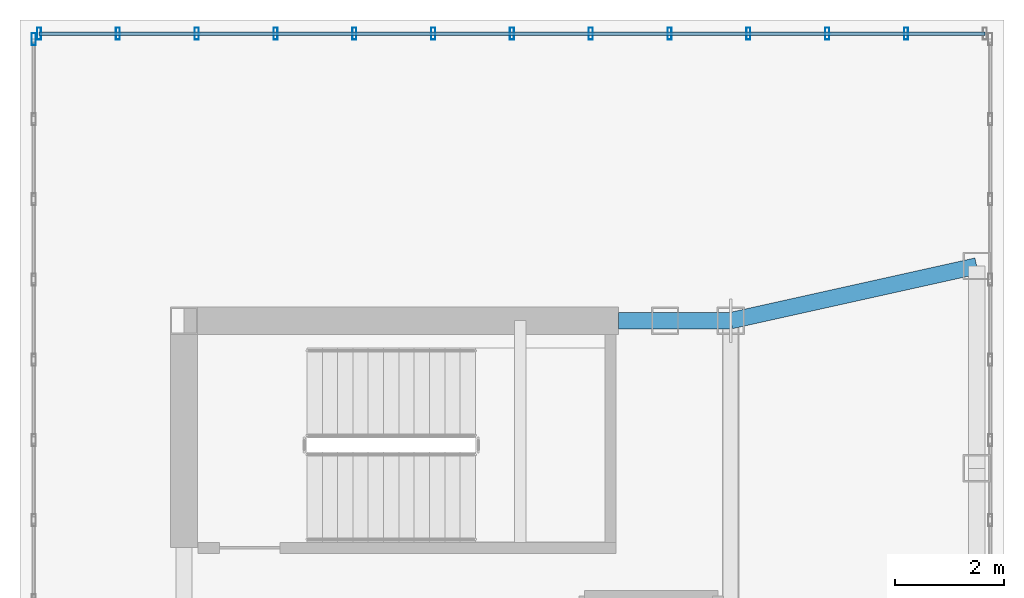
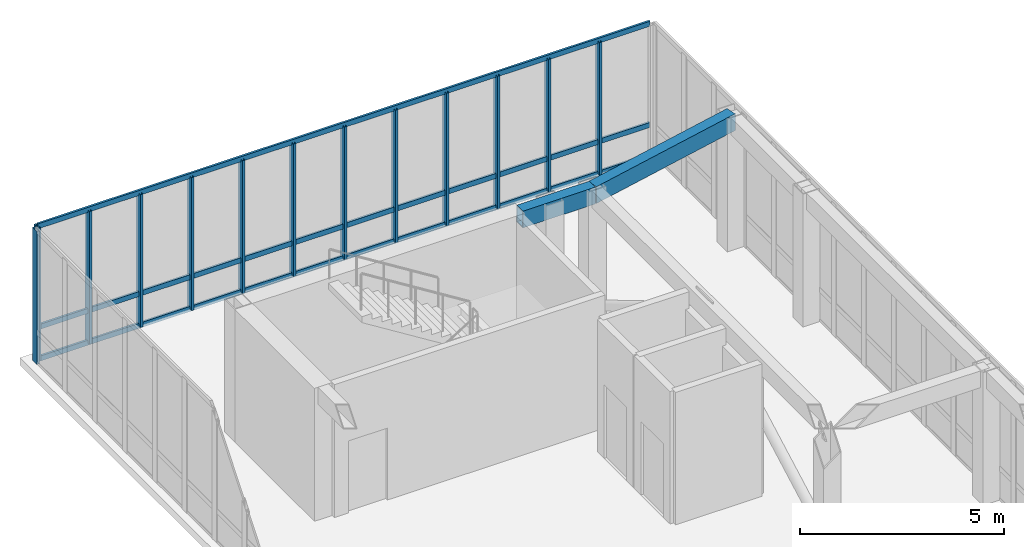
# One storey, part 9 of 13: 16 members, 2 beams, 2 elements without a shape of their own.
"""IFC4 building model written with IfcOpenShell, lengths in metres."""

from ifc_helpers import new_model, si_unit, direction, frame, origin, origin_2d, place, context, subcontext, project, spatial, hollow_rectangle, extrude, source, transform, mapped, material, layer, layer_set, material_profile, profile_set, type_object, element, aggregate, save


model = new_model("IFC4")

# Units and contexts
model_context = context("Model", 3, precision=1e-05, world=origin(), true_north=direction((0.0, 1.0)))
body_context = subcontext(model_context, "Body", "Model", "MODEL_VIEW")
ifc_project = project(units=[si_unit("LENGTHUNIT", "METRE"), si_unit("AREAUNIT", "SQUARE_METRE"), si_unit("VOLUMEUNIT", "CUBIC_METRE"), si_unit("PLANEANGLEUNIT", "RADIAN"), si_unit("MASSUNIT", "GRAM", prefix="KILO")], contexts=[model_context])

# Site, building, storey
site_placement = place(None, origin())
site = spatial("IfcSite", under=ifc_project, at=site_placement, CompositionType="ELEMENT")
building_placement = place(site_placement, origin())
building = spatial("IfcBuilding", under=site, at=building_placement, Name="Kharzan Plaza Tower", CompositionType="ELEMENT")
storey_placement = place(building_placement, frame((0.0, 0.0, 285.60009765625)))
storey = spatial("IfcBuildingStorey", under=building, at=storey_placement, Name="L77-CROWN", CompositionType="ELEMENT", Elevation=285.60009765625)

# Beams
ifc_material_1 = material(Name="Steel S355", Category="steel")
ifc_material_profile_1 = material_profile(ifc_material_1, hollow_rectangle(XDim=0.300048828125, YDim=0.5, WallThickness=0.02001953125, at=origin_2d()), Name="RHS500x300x20")
ifc_profile_set_1 = profile_set([ifc_material_profile_1], Name="Steel S355")
beam_type = type_object("IfcBeamType", Name="BM-CRN500", PredefinedType="BEAM", material=ifc_profile_set_1)
shared_shape_1 = source(origin(), body_context, "Body", "SweptSolid", [
    extrude(hollow_rectangle(XDim=0.300048828125, YDim=0.5, WallThickness=0.02001953125, at=origin_2d()), origin(), (0.0, 0.0, 1.0), 2.050048828125),
])
beam_1_placement = place(storey_placement, frame((12.449951171875, 29.5, 3.719970703125), z_axis=(1.0, 0.0, 0.0), x_axis=(0.0, 1.0, 0.0)))
element("IfcBeam", 1, at=beam_1_placement, inside=storey, type_object=beam_type, Name="L77-CROWN CROWN FRAME Lantern Ring Beam CRB-N2", PredefinedType="BEAM", context=body_context, shape_type="MappedRepresentation", body=[
    mapped(shared_shape_1, transform((0.0, 0.0, 0.0), x_axis=(1.0, 0.0, 0.0), y_axis=(0.0, 1.0, 0.0), z_axis=(0.0, 0.0, 1.0))),
])
shared_shape_2 = source(origin(), body_context, "Body", "SweptSolid", [
    extrude(hollow_rectangle(XDim=0.300048828125, YDim=0.5, WallThickness=0.02001953125, at=origin_2d()), origin(), (0.0, 0.0, 1.0), 4.60986328125),
])
beam_2_placement = place(storey_placement, frame((14.5, 29.5, 3.719970703125), z_axis=(0.976187060184, 0.216930457819, 0.0), x_axis=(-0.216930457819, 0.976187060184, 0.0)))
element("IfcBeam", 2, at=beam_2_placement, inside=storey, type_object=beam_type, Name="L77-CROWN CROWN FRAME Lantern Ring Beam CRB-N3", PredefinedType="BEAM", context=body_context, shape_type="MappedRepresentation", body=[
    mapped(shared_shape_2, transform((0.0, 0.0, 0.0), x_axis=(1.0, 0.0, 0.0), y_axis=(0.0, 1.0, 0.0), z_axis=(0.0, 0.0, 1.0))),
])

# Curtain wall, members
ifc_material_2 = material(Name="Unitised Bronze-Anodized Aluminium and Low-E Glass", Category="aluminium")
ifc_layer = layer(ifc_material_2, 0.199951171875)
ifc_layer_set = layer_set([ifc_layer], Name="Unitised Bronze-Anodized Aluminium and Low-E Glass")
curtain_wall_type = type_object("IfcCurtainWallType", Name="CW-LANTERN-6", PredefinedType="NOTDEFINED", material=ifc_layer_set)
curtain_wall_1_placement = place(storey_placement, origin())
curtain_wall_1 = element("IfcCurtainWall", 3, at=curtain_wall_1_placement, inside=storey, type_object=curtain_wall_type, Name="L77-CROWN Lantern Crown Illuminated Curtain Wall 3", PredefinedType="NOTDEFINED")
ifc_material_3 = material(Name="Anodized Bronze Aluminium", Category="aluminium")
ifc_material_profile_2 = material_profile(ifc_material_3, hollow_rectangle(XDim=0.074951171875, YDim=0.219970703125, WallThickness=0.00390625, at=origin_2d()), Name="ALU-M220x75x4")
ifc_profile_set_2 = profile_set([ifc_material_profile_2], Name="Anodized Bronze Aluminium")
member_type_1 = type_object("IfcMemberType", Name="MEM-CW-MUL200", PredefinedType="MULLION", material=ifc_profile_set_2)
shared_shape_3 = source(origin(), body_context, "Body", "SweptSolid", [
    extrude(hollow_rectangle(XDim=0.074951171875, YDim=0.219970703125, WallThickness=0.00390625, at=origin_2d()), origin(), (0.0, 0.0, 1.0), 3.969970703125),
])
member_1_placement = place(storey_placement, frame((17.708251953125, 34.75, 0.0), z_axis=(0.0, 0.0, 1.0), x_axis=(1.0, 0.0, 0.0)))
member_1 = element("IfcMember", 4, at=member_1_placement, type_object=member_type_1, Name="L77-CROWN Curtain-Wall Mullion 01", PredefinedType="MULLION", context=body_context, shape_type="MappedRepresentation", body=[
    mapped(shared_shape_3, transform((0.0, 0.0, 0.0), x_axis=(1.0, 0.0, 0.0), y_axis=(0.0, 1.0, 0.0), z_axis=(0.0, 0.0, 1.0))),
])
member_2_placement = place(storey_placement, frame((16.2666015625, 34.75, 0.0), z_axis=(0.0, 0.0, 1.0), x_axis=(1.0, 0.0, 0.0)))
member_2 = element("IfcMember", 5, at=member_2_placement, type_object=member_type_1, Name="L77-CROWN Curtain-Wall Mullion 02", PredefinedType="MULLION", context=body_context, shape_type="MappedRepresentation", body=[
    mapped(shared_shape_3, transform((0.0, 0.0, 0.0), x_axis=(1.0, 0.0, 0.0), y_axis=(0.0, 1.0, 0.0), z_axis=(0.0, 0.0, 1.0))),
])
member_3_placement = place(storey_placement, frame((14.824951171875, 34.75, 0.0), z_axis=(0.0, 0.0, 1.0), x_axis=(1.0, 0.0, 0.0)))
member_3 = element("IfcMember", 6, at=member_3_placement, type_object=member_type_1, Name="L77-CROWN Curtain-Wall Mullion 03", PredefinedType="MULLION", context=body_context, shape_type="MappedRepresentation", body=[
    mapped(shared_shape_3, transform((0.0, 0.0, 0.0), x_axis=(1.0, 0.0, 0.0), y_axis=(0.0, 1.0, 0.0), z_axis=(0.0, 0.0, 1.0))),
])
member_4_placement = place(storey_placement, frame((13.38330078125, 34.75, 0.0), z_axis=(0.0, 0.0, 1.0), x_axis=(1.0, 0.0, 0.0)))
member_4 = element("IfcMember", 7, at=member_4_placement, type_object=member_type_1, Name="L77-CROWN Curtain-Wall Mullion 04", PredefinedType="MULLION", context=body_context, shape_type="MappedRepresentation", body=[
    mapped(shared_shape_3, transform((0.0, 0.0, 0.0), x_axis=(1.0, 0.0, 0.0), y_axis=(0.0, 1.0, 0.0), z_axis=(0.0, 0.0, 1.0))),
])
member_5_placement = place(storey_placement, frame((11.941650390625, 34.75, 0.0), z_axis=(0.0, 0.0, 1.0), x_axis=(1.0, 0.0, 0.0)))
member_5 = element("IfcMember", 8, at=member_5_placement, type_object=member_type_1, Name="L77-CROWN Curtain-Wall Mullion 05", PredefinedType="MULLION", context=body_context, shape_type="MappedRepresentation", body=[
    mapped(shared_shape_3, transform((0.0, 0.0, 0.0), x_axis=(1.0, 0.0, 0.0), y_axis=(0.0, 1.0, 0.0), z_axis=(0.0, 0.0, 1.0))),
])
member_6_placement = place(storey_placement, frame((10.5, 34.75, 0.0), z_axis=(0.0, 0.0, 1.0), x_axis=(1.0, 0.0, 0.0)))
member_6 = element("IfcMember", 9, at=member_6_placement, type_object=member_type_1, Name="L77-CROWN Curtain-Wall Mullion 06", PredefinedType="MULLION", context=body_context, shape_type="MappedRepresentation", body=[
    mapped(shared_shape_3, transform((0.0, 0.0, 0.0), x_axis=(1.0, 0.0, 0.0), y_axis=(0.0, 1.0, 0.0), z_axis=(0.0, 0.0, 1.0))),
])
member_7_placement = place(storey_placement, frame((9.058349609375, 34.75, 0.0), z_axis=(0.0, 0.0, 1.0), x_axis=(1.0, 0.0, 0.0)))
member_7 = element("IfcMember", 10, at=member_7_placement, type_object=member_type_1, Name="L77-CROWN Curtain-Wall Mullion 07", PredefinedType="MULLION", context=body_context, shape_type="MappedRepresentation", body=[
    mapped(shared_shape_3, transform((0.0, 0.0, 0.0), x_axis=(1.0, 0.0, 0.0), y_axis=(0.0, 1.0, 0.0), z_axis=(0.0, 0.0, 1.0))),
])
member_8_placement = place(storey_placement, frame((7.61669921875, 34.75, 0.0), z_axis=(0.0, 0.0, 1.0), x_axis=(1.0, 0.0, 0.0)))
member_8 = element("IfcMember", 11, at=member_8_placement, type_object=member_type_1, Name="L77-CROWN Curtain-Wall Mullion 08", PredefinedType="MULLION", context=body_context, shape_type="MappedRepresentation", body=[
    mapped(shared_shape_3, transform((0.0, 0.0, 0.0), x_axis=(1.0, 0.0, 0.0), y_axis=(0.0, 1.0, 0.0), z_axis=(0.0, 0.0, 1.0))),
])
member_9_placement = place(storey_placement, frame((6.175048828125, 34.75, 0.0), z_axis=(0.0, 0.0, 1.0), x_axis=(1.0, 0.0, 0.0)))
member_9 = element("IfcMember", 12, at=member_9_placement, type_object=member_type_1, Name="L77-CROWN Curtain-Wall Mullion 09", PredefinedType="MULLION", context=body_context, shape_type="MappedRepresentation", body=[
    mapped(shared_shape_3, transform((0.0, 0.0, 0.0), x_axis=(1.0, 0.0, 0.0), y_axis=(0.0, 1.0, 0.0), z_axis=(0.0, 0.0, 1.0))),
])
member_10_placement = place(storey_placement, frame((4.7333984375, 34.75, 0.0), z_axis=(0.0, 0.0, 1.0), x_axis=(1.0, 0.0, 0.0)))
member_10 = element("IfcMember", 13, at=member_10_placement, type_object=member_type_1, Name="L77-CROWN Curtain-Wall Mullion 10", PredefinedType="MULLION", context=body_context, shape_type="MappedRepresentation", body=[
    mapped(shared_shape_3, transform((0.0, 0.0, 0.0), x_axis=(1.0, 0.0, 0.0), y_axis=(0.0, 1.0, 0.0), z_axis=(0.0, 0.0, 1.0))),
])
member_11_placement = place(storey_placement, frame((3.291748046875, 34.75, 0.0), z_axis=(0.0, 0.0, 1.0), x_axis=(1.0, 0.0, 0.0)))
member_11 = element("IfcMember", 14, at=member_11_placement, type_object=member_type_1, Name="L77-CROWN Curtain-Wall Mullion 11", PredefinedType="MULLION", context=body_context, shape_type="MappedRepresentation", body=[
    mapped(shared_shape_3, transform((0.0, 0.0, 0.0), x_axis=(1.0, 0.0, 0.0), y_axis=(0.0, 1.0, 0.0), z_axis=(0.0, 0.0, 1.0))),
])
member_12_placement = place(storey_placement, frame((1.85009765625, 34.75, 0.0), z_axis=(0.0, 0.0, 1.0), x_axis=(1.0, 0.0, 0.0)))
member_12 = element("IfcMember", 15, at=member_12_placement, type_object=member_type_1, Name="L77-CROWN Curtain-Wall Mullion 12", PredefinedType="MULLION", context=body_context, shape_type="MappedRepresentation", body=[
    mapped(shared_shape_3, transform((0.0, 0.0, 0.0), x_axis=(1.0, 0.0, 0.0), y_axis=(0.0, 1.0, 0.0), z_axis=(0.0, 0.0, 1.0))),
])

# Curtain wall, member
curtain_wall_2_placement = place(storey_placement, origin())
curtain_wall_2 = element("IfcCurtainWall", 16, at=curtain_wall_2_placement, inside=storey, type_object=curtain_wall_type, Name="L77-CROWN Lantern Crown Illuminated Curtain Wall 4", PredefinedType="NOTDEFINED")
member_13_placement = place(storey_placement, frame((1.75, 34.64990234375, 0.0), z_axis=(0.0, 0.0, 1.0), x_axis=(1.0, 0.0, 0.0)))
member_13 = element("IfcMember", 17, at=member_13_placement, type_object=member_type_1, Name="L77-CROWN Curtain-Wall Mullion 00", PredefinedType="MULLION", context=body_context, shape_type="MappedRepresentation", body=[
    mapped(shared_shape_3, transform((0.0, 0.0, 0.0), x_axis=(1.0, 0.0, 0.0), y_axis=(0.0, 1.0, 0.0), z_axis=(0.0, 0.0, 1.0))),
])
aggregate(curtain_wall_2, [member_13])

# Member
ifc_material_profile_3 = material_profile(ifc_material_3, hollow_rectangle(XDim=0.06005859375, YDim=0.14990234375, WallThickness=0.00341796875, at=origin_2d()), Name="ALU-T150x60x3.5")
ifc_profile_set_3 = profile_set([ifc_material_profile_3], Name="Anodized Bronze Aluminium")
member_type_2 = type_object("IfcMemberType", Name="MEM-CW-TRN150", PredefinedType="USERDEFINED", material=ifc_profile_set_3)
shared_shape_4 = source(origin(), body_context, "Body", "SweptSolid", [
    extrude(hollow_rectangle(XDim=0.06005859375, YDim=0.14990234375, WallThickness=0.00341796875, at=origin_2d()), origin(), (0.0, 0.0, 1.0), 17.2998046875),
])
member_14_placement = place(storey_placement, frame((19.14990234375, 34.75, 0.0), z_axis=(-1.0, 0.0, 0.0), x_axis=(0.0, -1.0, 0.0)))
member_14 = element("IfcMember", 18, at=member_14_placement, type_object=member_type_2, Name="L77-CROWN Curtain-Wall Transom 1", ObjectType="TRANSOM", PredefinedType="USERDEFINED", context=body_context, shape_type="MappedRepresentation", body=[
    mapped(shared_shape_4, transform((0.0, 0.0, 0.0), x_axis=(1.0, 0.0, 0.0), y_axis=(0.0, 1.0, 0.0), z_axis=(0.0, 0.0, 1.0))),
])

member_15_placement = place(storey_placement, frame((19.14990234375, 34.75, 0.949951171875), z_axis=(-1.0, 0.0, 0.0), x_axis=(0.0, -1.0, 0.0)))
member_15 = element("IfcMember", 19, at=member_15_placement, type_object=member_type_2, Name="L77-CROWN Curtain-Wall Transom 2", ObjectType="TRANSOM", PredefinedType="USERDEFINED", context=body_context, shape_type="MappedRepresentation", body=[
    mapped(shared_shape_4, transform((0.0, 0.0, 0.0), x_axis=(1.0, 0.0, 0.0), y_axis=(0.0, 1.0, 0.0), z_axis=(0.0, 0.0, 1.0))),
])

member_16_placement = place(storey_placement, frame((19.14990234375, 34.75, 3.969970703125), z_axis=(-1.0, 0.0, 0.0), x_axis=(0.0, -1.0, 0.0)))
member_16 = element("IfcMember", 20, at=member_16_placement, type_object=member_type_2, Name="L77-CROWN Curtain-Wall Transom 3", ObjectType="TRANSOM", PredefinedType="USERDEFINED", context=body_context, shape_type="MappedRepresentation", body=[
    mapped(shared_shape_4, transform((0.0, 0.0, 0.0), x_axis=(1.0, 0.0, 0.0), y_axis=(0.0, 1.0, 0.0), z_axis=(0.0, 0.0, 1.0))),
])

aggregate(curtain_wall_1, [member_1, member_2, member_3, member_4, member_5, member_6, member_7, member_8, member_9, member_10, member_11, member_12, member_14, member_15, member_16])

save(model, "model.ifc")
